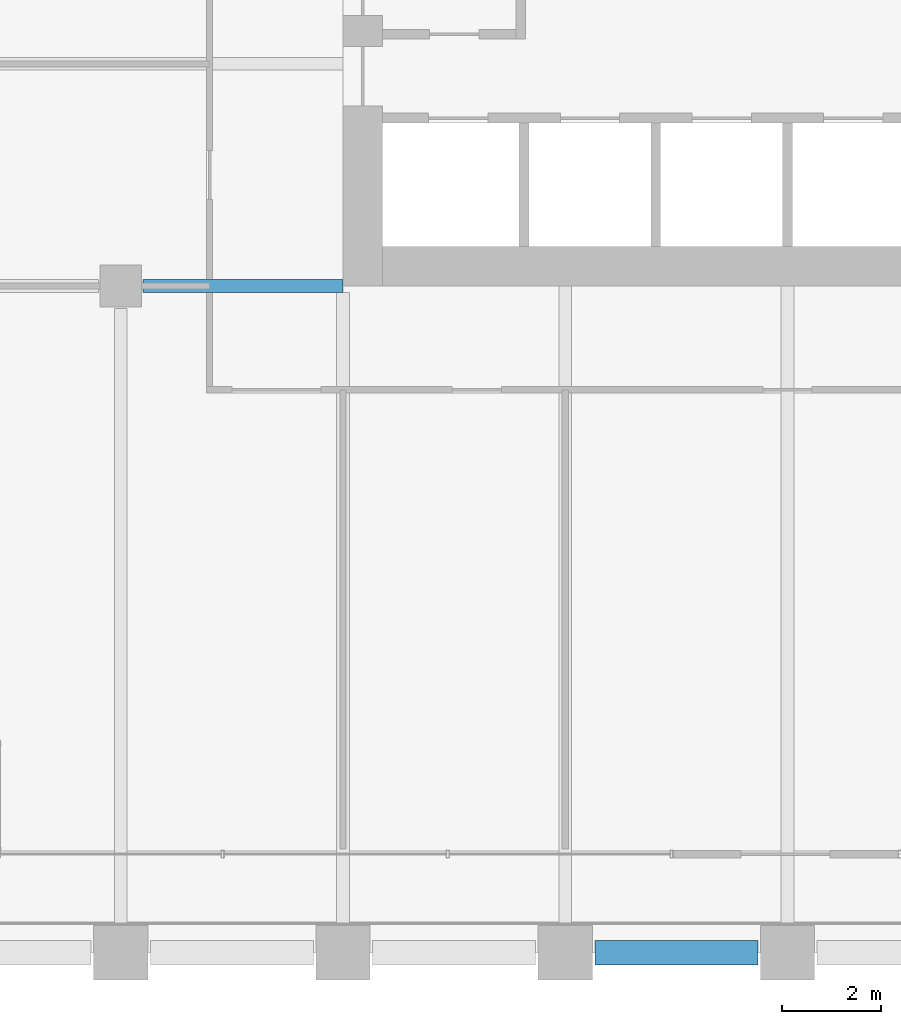
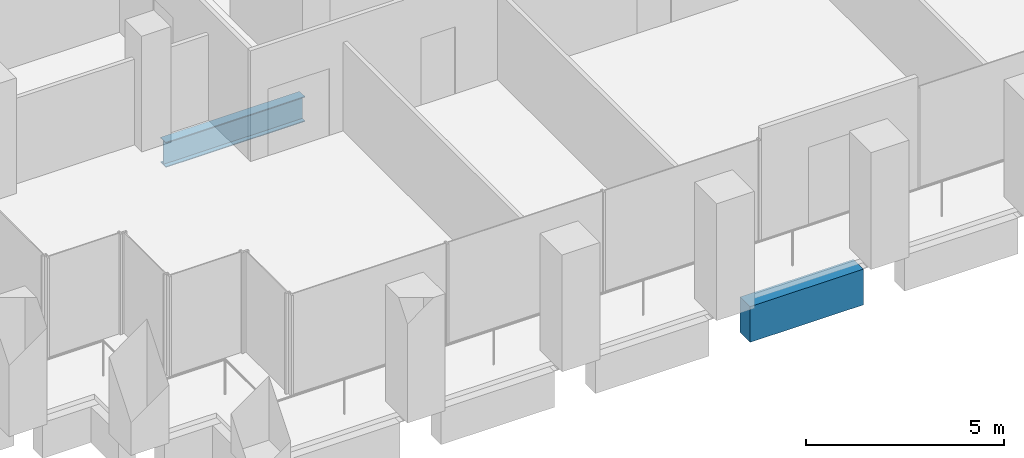
# One storey, part 6 of 55: 2 beams.
"""IFC4 building model written with IfcOpenShell, lengths in metres."""

from ifc_helpers import new_model, si_unit, direction, frame, origin, origin_2d, place, context, subcontext, project, spatial, rectangle, i_section, extrude, material, material_profile, profile_set, type_object, element, save


model = new_model("IFC4")

# Units and contexts
model_context = context("Model", 3, precision=1e-05, world=origin(), true_north=direction((0.0, 1.0)))
body_context = subcontext(model_context, "Body", "Model", "MODEL_VIEW")
ifc_project = project(units=[si_unit("LENGTHUNIT", "METRE"), si_unit("AREAUNIT", "SQUARE_METRE"), si_unit("VOLUMEUNIT", "CUBIC_METRE"), si_unit("PLANEANGLEUNIT", "RADIAN"), si_unit("MASSUNIT", "GRAM", prefix="KILO")], contexts=[model_context])

# Site, building, storey
site_placement = place(None, origin())
site = spatial("IfcSite", under=ifc_project, at=site_placement, CompositionType="ELEMENT")
building_placement = place(site_placement, origin())
building = spatial("IfcBuilding", under=site, at=building_placement, Name="Altepetl Exchange Towers", CompositionType="ELEMENT")
storey_placement = place(building_placement, frame((0.0, 0.0, 47.39990234375)))
storey = spatial("IfcBuildingStorey", under=building, at=storey_placement, Name="L10", CompositionType="ELEMENT", Elevation=47.39990234375)

# Beams
ifc_material_1 = material(Name="Steel S355", Category="steel")
ifc_material_profile_1 = material_profile(ifc_material_1, i_section(OverallWidth=0.26806640625, OverallDepth=0.77392578125, WebThickness=0.015380859375, FlangeThickness=0.025390625, at=origin_2d()), Name="W30X132")
ifc_profile_set_1 = profile_set([ifc_material_profile_1], Name="Steel S355")
beam_type_1 = type_object("IfcBeamType", Name="Girder W30X132", PredefinedType="BEAM", material=ifc_profile_set_1)
beam_1_placement = place(storey_placement, frame((40.5, 40.5, -0.536865234375), z_axis=(-1.0, 0.0, 0.0), x_axis=(0.0, -1.0, 0.0)))
element("IfcBeam", 1, at=beam_1_placement, inside=storey, type_object=beam_type_1, Name="gd:A:L10:009", PredefinedType="BEAM", context=body_context, shape_type="SweptSolid", body=[
    extrude(i_section(OverallWidth=0.26806640625, OverallDepth=0.77392578125, WebThickness=0.015380859375, FlangeThickness=0.025390625, at=origin_2d()), origin(), (0.0, 0.0, 1.0), 4.050048828125),
])
ifc_material_2 = material(Name="Concrete C50/60 precast with cantera blanca facing", Category="concrete")
ifc_material_profile_2 = material_profile(ifc_material_2, rectangle(XDim=0.5, YDim=1.10009765625, at=origin_2d()), Name="500 x 1100")
ifc_profile_set_2 = profile_set([ifc_material_profile_2], Name="Concrete C50/60 precast with cantera blanca facing")
beam_type_2 = type_object("IfcBeamType", Name="Spandrel beam 500x1100 cantera blanca", PredefinedType="SPANDREL", material=ifc_profile_set_2)
beam_2_placement = place(storey_placement, frame((45.60009765625, 27.0, -0.699951171875), z_axis=(1.0, 0.0, 0.0), x_axis=(0.0, 1.0, 0.0)))
element("IfcBeam", 2, at=beam_2_placement, inside=storey, type_object=beam_type_2, Name="sp:A:L10:003", PredefinedType="SPANDREL", context=body_context, shape_type="SweptSolid", body=[
    extrude(rectangle(XDim=0.5, YDim=1.10009765625, at=origin_2d()), origin(), (0.0, 0.0, 1.0), 3.2998046875),
])

save(model, "model.ifc")
